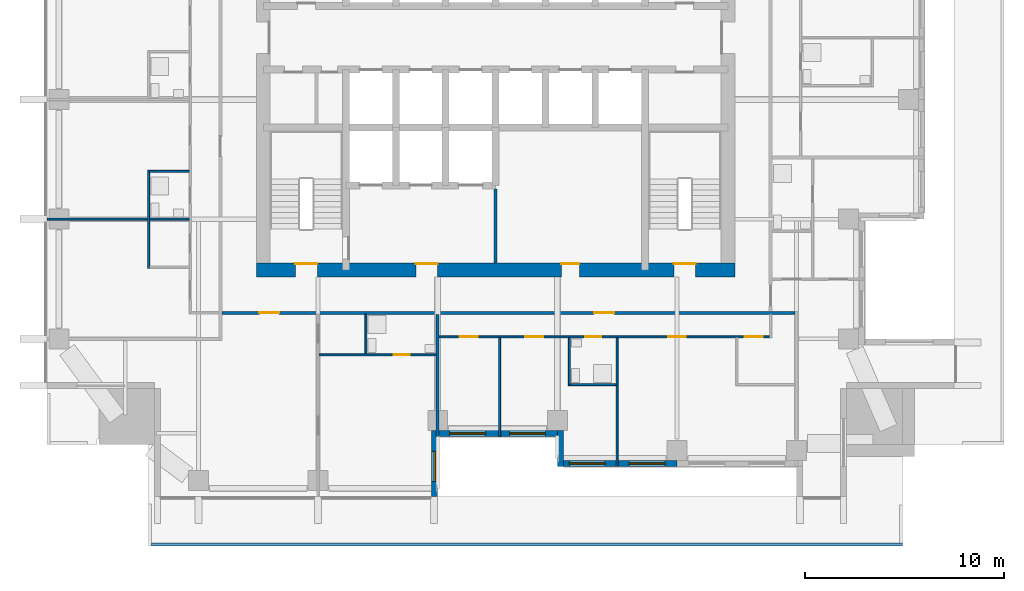
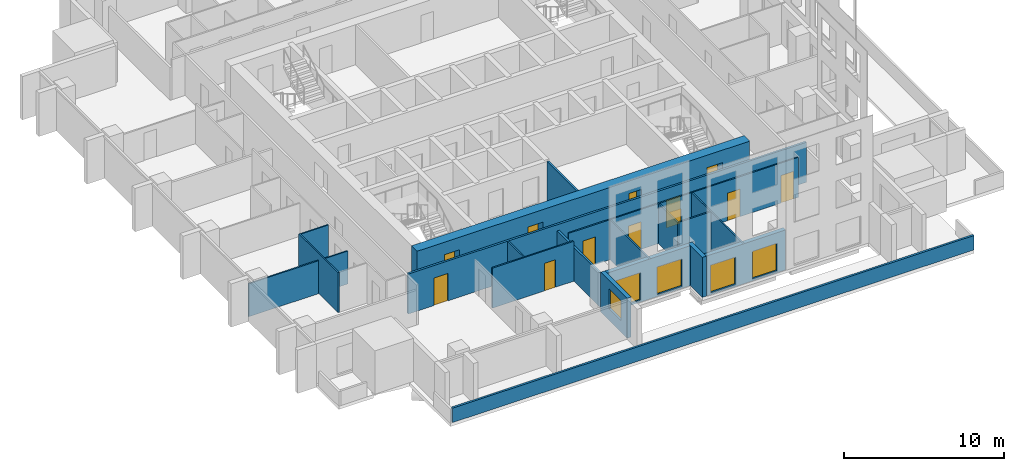
# One storey, part 4 of 14: 19 walls, 12 doors, 5 windows, 17 openings.
"""IFC4 building model written with IfcOpenShell, lengths in metres."""

from ifc_helpers import new_model, si_unit, direction, frame, frame_2d, origin, place, context, subcontext, project, spatial, rectangle, extrude, material, layer, layer_set, type_object, element, fill, save


model = new_model("IFC4")

# Units and contexts
model_context = context("Model", 3, precision=1e-05, world=origin(), true_north=direction((0.0, 1.0)))
body_context = subcontext(model_context, "Body", "Model", "MODEL_VIEW")
ifc_project = project(units=[si_unit("LENGTHUNIT", "METRE"), si_unit("AREAUNIT", "SQUARE_METRE"), si_unit("VOLUMEUNIT", "CUBIC_METRE"), si_unit("PLANEANGLEUNIT", "RADIAN"), si_unit("MASSUNIT", "GRAM", prefix="KILO")], contexts=[model_context])

# Site, building, storey
site_placement = place(None, origin())
site = spatial("IfcSite", under=ifc_project, at=site_placement, CompositionType="ELEMENT")
building_placement = place(site_placement, origin())
building = spatial("IfcBuilding", under=site, at=building_placement, Name="Amberfall Residences", CompositionType="ELEMENT")
storey_placement = place(building_placement, frame((0.0, 0.0, 133.89990234375)))
storey = spatial("IfcBuildingStorey", under=building, at=storey_placement, Name="L35", CompositionType="ELEMENT", Elevation=133.89990234375)

# Wall, opening, window
ifc_material_1 = material(Name="Pale stone cladding on insulated backing", Category="masonry")
ifc_layer_1 = layer(ifc_material_1, 0.300048828125)
ifc_layer_set_1 = layer_set([ifc_layer_1], Name="Bronze clad wall 300")
wall_type_1 = type_object("IfcWallType", Name="Bronze clad wall 300", PredefinedType="SOLIDWALL", material=ifc_layer_set_1)
wall_1_placement = place(storey_placement, frame((71.449951171875, 22.5, 0.0), z_axis=(0.0, 0.0, 1.0), x_axis=(0.0, 1.0, 0.0)))
wall_1 = element("IfcWall", 1, at=wall_1_placement, inside=storey, type_object=wall_type_1, Name="External wall L35 S", PredefinedType="SOLIDWALL", context=body_context, shape_type="SweptSolid", body=[
    extrude(rectangle(XDim=3.300048828125, YDim=0.300048828125, at=frame_2d((1.64990234375, 0.0))), origin(), (0.0, 0.0, 1.0), 3.050048828125),
])
opening_1_placement = place(wall_1_placement, frame((0.75, 0.0, 0.89990234375)))
opening_1 = element("IfcOpeningElement", 2, at=opening_1_placement, cuts=wall_1, Name="Opening WN1", PredefinedType="OPENING", context=body_context, shape_type="SweptSolid", body=[
    extrude(rectangle(XDim=1.5, YDim=1.5, at=frame_2d((0.75, 0.75))), frame((0.0, 0.159912109375, 0.0), z_axis=(0.0, -1.0, 0.0), x_axis=(1.0, 0.0, 0.0)), (0.0, 0.0, 1.0), 0.320068359375),
])
ifc_material_2 = material(Name="Bronze aluminium framed glazing", Category="aluminium")
window_type_1 = type_object("IfcWindowType", Name="Window 1500 x 1500 bronze", PartitioningType="DOUBLE_PANEL_VERTICAL", PredefinedType="WINDOW", material=ifc_material_2)
window_1_placement = place(opening_1_placement, origin())
window_1 = element("IfcWindow", 3, at=window_1_placement, inside=storey, type_object=window_type_1, Name="Window L35 S", OverallHeight=1.5, OverallWidth=1.5, PartitioningType="DOUBLE_PANEL_VERTICAL", PredefinedType="WINDOW", context=body_context, shape_type="SweptSolid", body=[
    extrude(rectangle(XDim=1.5, YDim=1.5, at=frame_2d((0.75, 0.75))), frame((0.0, 0.030029296875, 0.0), z_axis=(0.0, -1.0, 0.0), x_axis=(1.0, 0.0, 0.0)), (0.0, 0.0, 1.0), 0.06005859375),
])
fill(opening_1, window_1)

# Wall
wall_2_placement = place(storey_placement, frame((77.75, 25.800048828125, 0.0), z_axis=(0.0, 0.0, 1.0), x_axis=(0.0, -1.0, 0.0)))
element("IfcWall", 4, at=wall_2_placement, inside=storey, type_object=wall_type_1, Name="External wall L35 S", PredefinedType="SOLIDWALL", context=body_context, shape_type="SweptSolid", body=[
    extrude(rectangle(XDim=1.800048828125, YDim=0.300048828125, at=frame_2d((0.89990234375, 0.0))), origin(), (0.0, 0.0, 1.0), 3.050048828125),
])

# Wall, openings, windows
wall_3_placement = place(storey_placement, frame((71.60009765625, 25.64990234375, 0.0), z_axis=(0.0, 0.0, 1.0), x_axis=(1.0, 0.0, 0.0)))
wall_3 = element("IfcWall", 5, at=wall_3_placement, inside=storey, type_object=wall_type_1, Name="Stone wall L35 S", PredefinedType="SOLIDWALL", context=body_context, shape_type="SweptSolid", body=[
    extrude(rectangle(XDim=6.0, YDim=0.300048828125, at=frame_2d((3.0, 0.0))), origin(), (0.0, 0.0, 1.0), 3.050048828125),
])
opening_2_placement = place(wall_3_placement, frame((0.60009765625, 0.0, 0.14990234375)))
opening_2 = element("IfcOpeningElement", 6, at=opening_2_placement, cuts=wall_3, Name="Opening WN6", PredefinedType="OPENING", context=body_context, shape_type="SweptSolid", body=[
    extrude(rectangle(XDim=1.800048828125, YDim=2.10009765625, at=frame_2d((0.89990234375, 1.050048828125))), frame((0.0, 0.159912109375, 0.0), z_axis=(0.0, -1.0, 0.0), x_axis=(1.0, 0.0, 0.0)), (0.0, 0.0, 1.0), 0.320068359375),
])
opening_3_placement = place(wall_3_placement, frame((3.60009765625, 0.0, 0.14990234375)))
opening_3 = element("IfcOpeningElement", 7, at=opening_3_placement, cuts=wall_3, Name="Opening WN6", PredefinedType="OPENING", context=body_context, shape_type="SweptSolid", body=[
    extrude(rectangle(XDim=1.800048828125, YDim=2.10009765625, at=frame_2d((0.89990234375, 1.050048828125))), frame((0.0, 0.159912109375, 0.0), z_axis=(0.0, -1.0, 0.0), x_axis=(1.0, 0.0, 0.0)), (0.0, 0.0, 1.0), 0.320068359375),
])
window_type_2 = type_object("IfcWindowType", Name="Glazed opening 1800 x 2100 bronze", PartitioningType="DOUBLE_PANEL_VERTICAL", PredefinedType="WINDOW", material=ifc_material_2)
window_2_placement = place(opening_2_placement, origin())
window_2 = element("IfcWindow", 8, at=window_2_placement, inside=storey, type_object=window_type_2, Name="Window L35 S", OverallHeight=2.10009765625, OverallWidth=1.800048828125, PartitioningType="DOUBLE_PANEL_VERTICAL", PredefinedType="WINDOW", context=body_context, shape_type="SweptSolid", body=[
    extrude(rectangle(XDim=1.800048828125, YDim=2.10009765625, at=frame_2d((0.89990234375, 1.050048828125))), frame((0.0, 0.030029296875, 0.0), z_axis=(0.0, -1.0, 0.0), x_axis=(1.0, 0.0, 0.0)), (0.0, 0.0, 1.0), 0.06005859375),
])
fill(opening_2, window_2)
window_3_placement = place(opening_3_placement, origin())
window_3 = element("IfcWindow", 9, at=window_3_placement, inside=storey, type_object=window_type_2, Name="Window L35 S", OverallHeight=2.10009765625, OverallWidth=1.800048828125, PartitioningType="DOUBLE_PANEL_VERTICAL", PredefinedType="WINDOW", context=body_context, shape_type="SweptSolid", body=[
    extrude(rectangle(XDim=1.800048828125, YDim=2.10009765625, at=frame_2d((0.89990234375, 1.050048828125))), frame((0.0, 0.030029296875, 0.0), z_axis=(0.0, -1.0, 0.0), x_axis=(1.0, 0.0, 0.0)), (0.0, 0.0, 1.0), 0.06005859375),
])
fill(opening_3, window_3)

wall_4_placement = place(storey_placement, frame((77.89990234375, 24.14990234375, 0.0), z_axis=(0.0, 0.0, 1.0), x_axis=(1.0, 0.0, 0.0)))
wall_4 = element("IfcWall", 10, at=wall_4_placement, inside=storey, type_object=wall_type_1, Name="Stone wall L35 S", PredefinedType="SOLIDWALL", context=body_context, shape_type="SweptSolid", body=[
    extrude(rectangle(XDim=5.7001953125, YDim=0.300048828125, at=frame_2d((2.85009765625, 0.0))), origin(), (0.0, 0.0, 1.0), 3.050048828125),
])
opening_4_placement = place(wall_4_placement, frame((0.300048828125, 0.0, 0.14990234375)))
opening_4 = element("IfcOpeningElement", 11, at=opening_4_placement, cuts=wall_4, Name="Opening WN6", PredefinedType="OPENING", context=body_context, shape_type="SweptSolid", body=[
    extrude(rectangle(XDim=1.800048828125, YDim=2.10009765625, at=frame_2d((0.89990234375, 1.050048828125))), frame((0.0, 0.159912109375, 0.0), z_axis=(0.0, -1.0, 0.0), x_axis=(1.0, 0.0, 0.0)), (0.0, 0.0, 1.0), 0.320068359375),
])
opening_5_placement = place(wall_4_placement, frame((3.300048828125, 0.0, 0.14990234375)))
opening_5 = element("IfcOpeningElement", 12, at=opening_5_placement, cuts=wall_4, Name="Opening WN6", PredefinedType="OPENING", context=body_context, shape_type="SweptSolid", body=[
    extrude(rectangle(XDim=1.800048828125, YDim=2.10009765625, at=frame_2d((0.89990234375, 1.050048828125))), frame((0.0, 0.159912109375, 0.0), z_axis=(0.0, -1.0, 0.0), x_axis=(1.0, 0.0, 0.0)), (0.0, 0.0, 1.0), 0.320068359375),
])
window_4_placement = place(opening_4_placement, origin())
window_4 = element("IfcWindow", 13, at=window_4_placement, inside=storey, type_object=window_type_2, Name="Window L35 S", OverallHeight=2.10009765625, OverallWidth=1.800048828125, PartitioningType="DOUBLE_PANEL_VERTICAL", PredefinedType="WINDOW", context=body_context, shape_type="SweptSolid", body=[
    extrude(rectangle(XDim=1.800048828125, YDim=2.10009765625, at=frame_2d((0.89990234375, 1.050048828125))), frame((0.0, 0.030029296875, 0.0), z_axis=(0.0, -1.0, 0.0), x_axis=(1.0, 0.0, 0.0)), (0.0, 0.0, 1.0), 0.06005859375),
])
fill(opening_4, window_4)
window_5_placement = place(opening_5_placement, origin())
window_5 = element("IfcWindow", 14, at=window_5_placement, inside=storey, type_object=window_type_2, Name="Window L35 S", OverallHeight=2.10009765625, OverallWidth=1.800048828125, PartitioningType="DOUBLE_PANEL_VERTICAL", PredefinedType="WINDOW", context=body_context, shape_type="SweptSolid", body=[
    extrude(rectangle(XDim=1.800048828125, YDim=2.10009765625, at=frame_2d((0.89990234375, 1.050048828125))), frame((0.0, 0.030029296875, 0.0), z_axis=(0.0, -1.0, 0.0), x_axis=(1.0, 0.0, 0.0)), (0.0, 0.0, 1.0), 0.06005859375),
])
fill(opening_5, window_5)

# Wall, openings, doors
ifc_material_3 = material(Name="Concrete C60", Category="concrete")
ifc_layer_2 = layer(ifc_material_3, 0.699951171875)
ifc_layer_set_2 = layer_set([ifc_layer_2], Name="Core wall 700 C60")
wall_type_2 = type_object("IfcWallType", Name="Core wall 700 C60", PredefinedType="SHEAR", material=ifc_layer_set_2)
wall_5_placement = place(storey_placement, frame((62.5, 33.85009765625, 0.0), z_axis=(0.0, 0.0, 1.0), x_axis=(1.0, 0.0, 0.0)))
wall_5 = element("IfcWall", 15, at=wall_5_placement, inside=storey, type_object=wall_type_2, Name="Core wall RW5 L35 OS", PredefinedType="SHEAR", context=body_context, shape_type="SweptSolid", body=[
    extrude(rectangle(XDim=24.0, YDim=0.699951171875, at=frame_2d((12.0, 0.0))), origin(), (0.0, 0.0, 1.0), 3.050048828125),
])
opening_6_placement = place(wall_5_placement, frame((1.96240234375, 0.0, 0.0)))
opening_6 = element("IfcOpeningElement", 16, at=opening_6_placement, cuts=wall_5, Name="Opening SD1", PredefinedType="OPENING", context=body_context, shape_type="SweptSolid", body=[
    extrude(rectangle(XDim=1.10009765625, YDim=2.10009765625, at=frame_2d((0.550048828125, 1.050048828125))), frame((0.0, 0.35986328125, 0.0), z_axis=(0.0, -1.0, 0.0), x_axis=(1.0, 0.0, 0.0)), (0.0, 0.0, 1.0), 0.719970703125),
])
opening_7_placement = place(wall_5_placement, frame((20.9375, 0.0, 0.0)))
opening_7 = element("IfcOpeningElement", 17, at=opening_7_placement, cuts=wall_5, Name="Opening SD1", PredefinedType="OPENING", context=body_context, shape_type="SweptSolid", body=[
    extrude(rectangle(XDim=1.10009765625, YDim=2.10009765625, at=frame_2d((0.550048828125, 1.050048828125))), frame((0.0, 0.35986328125, 0.0), z_axis=(0.0, -1.0, 0.0), x_axis=(1.0, 0.0, 0.0)), (0.0, 0.0, 1.0), 0.719970703125),
])
opening_8_placement = place(wall_5_placement, frame((8.0, 0.0, 0.0)))
opening_8 = element("IfcOpeningElement", 18, at=opening_8_placement, cuts=wall_5, Name="Opening FL1", PredefinedType="OPENING", context=body_context, shape_type="SweptSolid", body=[
    extrude(rectangle(XDim=1.10009765625, YDim=2.10009765625, at=frame_2d((0.550048828125, 1.050048828125))), frame((0.0, 0.35986328125, 0.0), z_axis=(0.0, -1.0, 0.0), x_axis=(1.0, 0.0, 0.0)), (0.0, 0.0, 1.0), 0.719970703125),
])
opening_9_placement = place(wall_5_placement, frame((15.300048828125, 0.0, 0.0)))
opening_9 = element("IfcOpeningElement", 19, at=opening_9_placement, cuts=wall_5, Name="Opening RD1", PredefinedType="OPENING", context=body_context, shape_type="SweptSolid", body=[
    extrude(rectangle(XDim=0.89990234375, YDim=2.10009765625, at=frame_2d((0.449951171875, 1.050048828125))), frame((0.0, 0.35986328125, 0.0), z_axis=(0.0, -1.0, 0.0), x_axis=(1.0, 0.0, 0.0)), (0.0, 0.0, 1.0), 0.719970703125),
])
ifc_material_4 = material(Name="Steel fire door set", Category="steel")
door_type_1 = type_object("IfcDoorType", Name="Firefighting lobby door 1100 x 2100", OperationType="SINGLE_SWING_LEFT", PredefinedType="DOOR", material=ifc_material_4)
door_1_placement = place(opening_8_placement, origin())
door_1 = element("IfcDoor", 20, at=door_1_placement, inside=storey, type_object=door_type_1, Name="FL1 L35", OperationType="SINGLE_SWING_LEFT", OverallHeight=2.10009765625, OverallWidth=1.10009765625, PredefinedType="DOOR", context=body_context, shape_type="SweptSolid", body=[
    extrude(rectangle(XDim=1.10009765625, YDim=2.10009765625, at=frame_2d((0.550048828125, 1.050048828125))), frame((0.0, 0.33740234375, 0.0), z_axis=(0.0, -1.0, 0.0), x_axis=(1.0, 0.0, 0.0)), (0.0, 0.0, 1.0), 0.050048828125),
])
fill(opening_8, door_1)
door_type_2 = type_object("IfcDoorType", Name="Service room door 900 x 2100", OperationType="SINGLE_SWING_LEFT", PredefinedType="DOOR", material=ifc_material_4)
door_2_placement = place(opening_9_placement, origin())
door_2 = element("IfcDoor", 21, at=door_2_placement, inside=storey, type_object=door_type_2, Name="RD1 L35", OperationType="SINGLE_SWING_LEFT", OverallHeight=2.10009765625, OverallWidth=0.89990234375, PredefinedType="DOOR", context=body_context, shape_type="SweptSolid", body=[
    extrude(rectangle(XDim=0.89990234375, YDim=2.10009765625, at=frame_2d((0.449951171875, 1.050048828125))), frame((0.0, 0.33740234375, 0.0), z_axis=(0.0, -1.0, 0.0), x_axis=(1.0, 0.0, 0.0)), (0.0, 0.0, 1.0), 0.050048828125),
])
fill(opening_9, door_2)
door_type_3 = type_object("IfcDoorType", Name="Stair door 1100 x 2100", OperationType="SINGLE_SWING_LEFT", PredefinedType="DOOR", material=ifc_material_4)
door_3_placement = place(opening_6_placement, origin())
door_3 = element("IfcDoor", 22, at=door_3_placement, inside=storey, type_object=door_type_3, Name="SD1 L35", OperationType="SINGLE_SWING_LEFT", OverallHeight=2.10009765625, OverallWidth=1.10009765625, PredefinedType="DOOR", context=body_context, shape_type="SweptSolid", body=[
    extrude(rectangle(XDim=1.10009765625, YDim=2.10009765625, at=frame_2d((0.550048828125, 1.050048828125))), frame((0.0, 0.33740234375, 0.0), z_axis=(0.0, -1.0, 0.0), x_axis=(1.0, 0.0, 0.0)), (0.0, 0.0, 1.0), 0.050048828125),
])
fill(opening_6, door_3)
door_4_placement = place(opening_7_placement, origin())
door_4 = element("IfcDoor", 23, at=door_4_placement, inside=storey, type_object=door_type_3, Name="SD1 L35", OperationType="SINGLE_SWING_RIGHT", OverallHeight=2.10009765625, OverallWidth=1.10009765625, PredefinedType="DOOR", context=body_context, shape_type="SweptSolid", body=[
    extrude(rectangle(XDim=1.10009765625, YDim=2.10009765625, at=frame_2d((0.550048828125, 1.050048828125))), frame((0.0, 0.33740234375, 0.0), z_axis=(0.0, -1.0, 0.0), x_axis=(1.0, 0.0, 0.0)), (0.0, 0.0, 1.0), 0.050048828125),
])
fill(opening_7, door_4)

# Walls
ifc_material_5 = material(Name="Gypsum board on metal stud")
ifc_layer_3 = layer(ifc_material_5, 0.10009765625)
ifc_layer_set_3 = layer_set([ifc_layer_3], Name="Flat partition 100")
wall_type_3 = type_object("IfcWallType", Name="Flat partition 100", PredefinedType="PARTITIONING", material=ifc_layer_set_3)
wall_6_placement = place(storey_placement, frame((57.10009765625, 33.949951171875, 0.0), z_axis=(0.0, 0.0, 1.0), x_axis=(0.0, 1.0, 0.0)))
element("IfcWall", 24, at=wall_6_placement, inside=storey, type_object=wall_type_3, Name="Partition 001", PredefinedType="PARTITIONING", context=body_context, shape_type="SweptSolid", body=[
    extrude(rectangle(XDim=4.900146484375, YDim=0.10009765625, at=frame_2d((2.4501953125, 0.0))), origin(), (0.0, 0.0, 1.0), 3.050048828125),
])
wall_7_placement = place(storey_placement, frame((68.0, 29.64990234375, 0.0), z_axis=(0.0, 0.0, 1.0), x_axis=(0.0, 1.0, 0.0)))
element("IfcWall", 25, at=wall_7_placement, inside=storey, type_object=wall_type_3, Name="Partition 010", PredefinedType="PARTITIONING", context=body_context, shape_type="SweptSolid", body=[
    extrude(rectangle(XDim=1.97509765625, YDim=0.10009765625, at=frame_2d((0.987548828125, 0.0))), origin(), (0.0, 0.0, 1.0), 3.050048828125),
])
wall_8_placement = place(storey_placement, frame((74.699951171875, 25.5, 0.0), z_axis=(0.0, 0.0, 1.0), x_axis=(0.0, 1.0, 0.0)))
element("IfcWall", 26, at=wall_8_placement, inside=storey, type_object=wall_type_3, Name="Partition 014", PredefinedType="PARTITIONING", context=body_context, shape_type="SweptSolid", body=[
    extrude(rectangle(XDim=4.949951171875, YDim=0.10009765625, at=frame_2d((2.47509765625, 0.0))), origin(), (0.0, 0.0, 1.0), 3.050048828125),
])
wall_9_placement = place(storey_placement, frame((78.199951171875, 28.050048828125, 0.0), z_axis=(0.0, 0.0, 1.0), x_axis=(0.0, 1.0, 0.0)))
element("IfcWall", 27, at=wall_9_placement, inside=storey, type_object=wall_type_3, Name="Partition 015", PredefinedType="PARTITIONING", context=body_context, shape_type="SweptSolid", body=[
    extrude(rectangle(XDim=2.39990234375, YDim=0.10009765625, at=frame_2d((1.199951171875, 0.0))), origin(), (0.0, 0.0, 1.0), 3.050048828125),
])
wall_10_placement = place(storey_placement, frame((80.60009765625, 24.0, 0.0), z_axis=(0.0, 0.0, 1.0), x_axis=(0.0, 1.0, 0.0)))
element("IfcWall", 28, at=wall_10_placement, inside=storey, type_object=wall_type_3, Name="Partition 016", PredefinedType="PARTITIONING", context=body_context, shape_type="SweptSolid", body=[
    extrude(rectangle(XDim=6.449951171875, YDim=0.10009765625, at=frame_2d((3.22509765625, 0.0))), origin(), (0.0, 0.0, 1.0), 3.050048828125),
])
wall_11_placement = place(storey_placement, frame((57.14990234375, 38.800048828125, 0.0), z_axis=(0.0, 0.0, 1.0), x_axis=(1.0, 0.0, 0.0)))
element("IfcWall", 29, at=wall_11_placement, inside=storey, type_object=wall_type_3, Name="Partition 040", PredefinedType="PARTITIONING", context=body_context, shape_type="SweptSolid", body=[
    extrude(rectangle(XDim=2.0, YDim=0.10009765625, at=frame_2d((1.0, 0.0))), origin(), (0.0, 0.0, 1.0), 3.050048828125),
])
wall_12_placement = place(storey_placement, frame((52.0, 36.39990234375, 0.0), z_axis=(0.0, 0.0, 1.0), x_axis=(1.0, 0.0, 0.0)))
element("IfcWall", 30, at=wall_12_placement, inside=storey, type_object=wall_type_3, Name="Partition 041", PredefinedType="PARTITIONING", context=body_context, shape_type="SweptSolid", body=[
    extrude(rectangle(XDim=7.14990234375, YDim=0.10009765625, at=frame_2d((3.574951171875, 0.0))), origin(), (0.0, 0.0, 1.0), 2.51611328125),
])

# Wall, openings, doors
wall_13_placement = place(storey_placement, frame((88.25, 30.5, 0.0), z_axis=(0.0, 0.0, 1.0), x_axis=(-1.0, 0.0, 0.0)))
wall_13 = element("IfcWall", 31, at=wall_13_placement, inside=storey, type_object=wall_type_3, Name="Partition 046", PredefinedType="PARTITIONING", context=body_context, shape_type="SweptSolid", body=[
    extrude(rectangle(XDim=16.574951171875, YDim=0.10009765625, at=frame_2d((8.28759765625, 0.0))), origin(), (0.0, 0.0, 1.0), 3.050048828125),
])
opening_10_placement = place(wall_13_placement, frame((4.199951171875, 0.0, 0.0)))
opening_10 = element("IfcOpeningElement", 32, at=opening_10_placement, cuts=wall_13, Name="Opening D41", PredefinedType="OPENING", context=body_context, shape_type="SweptSolid", body=[
    extrude(rectangle(XDim=0.89990234375, YDim=2.10009765625, at=frame_2d((0.449951171875, 1.050048828125))), frame((0.0, 0.06005859375, 0.0), z_axis=(0.0, -1.0, 0.0), x_axis=(1.0, 0.0, 0.0)), (0.0, 0.0, 1.0), 0.1201171875),
])
opening_11_placement = place(wall_13_placement, frame((0.35009765625, 0.0, 0.0)))
opening_11 = element("IfcOpeningElement", 33, at=opening_11_placement, cuts=wall_13, Name="Opening D41", PredefinedType="OPENING", context=body_context, shape_type="SweptSolid", body=[
    extrude(rectangle(XDim=0.89990234375, YDim=2.10009765625, at=frame_2d((0.449951171875, 1.050048828125))), frame((0.0, 0.06005859375, 0.0), z_axis=(0.0, -1.0, 0.0), x_axis=(1.0, 0.0, 0.0)), (0.0, 0.0, 1.0), 0.1201171875),
])
opening_12_placement = place(wall_13_placement, frame((14.64990234375, 0.0, 0.0)))
opening_12 = element("IfcOpeningElement", 34, at=opening_12_placement, cuts=wall_13, Name="Opening D41", PredefinedType="OPENING", context=body_context, shape_type="SweptSolid", body=[
    extrude(rectangle(XDim=0.89990234375, YDim=2.10009765625, at=frame_2d((0.449951171875, 1.050048828125))), frame((0.0, 0.06005859375, 0.0), z_axis=(0.0, -1.0, 0.0), x_axis=(1.0, 0.0, 0.0)), (0.0, 0.0, 1.0), 0.1201171875),
])
opening_13_placement = place(wall_13_placement, frame((11.35009765625, 0.0, 0.0)))
opening_13 = element("IfcOpeningElement", 35, at=opening_13_placement, cuts=wall_13, Name="Opening D41", PredefinedType="OPENING", context=body_context, shape_type="SweptSolid", body=[
    extrude(rectangle(XDim=0.89990234375, YDim=2.10009765625, at=frame_2d((0.449951171875, 1.050048828125))), frame((0.0, 0.06005859375, 0.0), z_axis=(0.0, -1.0, 0.0), x_axis=(1.0, 0.0, 0.0)), (0.0, 0.0, 1.0), 0.1201171875),
])
opening_14_placement = place(wall_13_placement, frame((8.449951171875, 0.0, 0.0)))
opening_14 = element("IfcOpeningElement", 36, at=opening_14_placement, cuts=wall_13, Name="Opening D42", PredefinedType="OPENING", context=body_context, shape_type="SweptSolid", body=[
    extrude(rectangle(XDim=0.800048828125, YDim=2.10009765625, at=frame_2d((0.39990234375, 1.050048828125))), frame((0.0, 0.06005859375, 0.0), z_axis=(0.0, -1.0, 0.0), x_axis=(1.0, 0.0, 0.0)), (0.0, 0.0, 1.0), 0.1201171875),
])
ifc_material_6 = material(Name="Timber", Category="wood")
door_type_4 = type_object("IfcDoorType", Name="Bathroom door 800 x 2100", OperationType="SINGLE_SWING_LEFT", PredefinedType="DOOR", material=ifc_material_6)
door_5_placement = place(opening_14_placement, origin())
door_5 = element("IfcDoor", 37, at=door_5_placement, inside=storey, type_object=door_type_4, Name="Door 3502 bath1", OperationType="SINGLE_SWING_LEFT", OverallHeight=2.10009765625, OverallWidth=0.800048828125, PredefinedType="DOOR", context=body_context, shape_type="SweptSolid", body=[
    extrude(rectangle(XDim=0.800048828125, YDim=2.10009765625, at=frame_2d((0.39990234375, 1.050048828125))), frame((0.0, 0.02490234375, 0.0), z_axis=(0.0, -1.0, 0.0), x_axis=(1.0, 0.0, 0.0)), (0.0, 0.0, 1.0), 0.050048828125),
])
fill(opening_14, door_5)
door_type_5 = type_object("IfcDoorType", Name="Internal door 900 x 2100", OperationType="SINGLE_SWING_LEFT", PredefinedType="DOOR", material=ifc_material_6)
door_6_placement = place(opening_10_placement, origin())
door_6 = element("IfcDoor", 38, at=door_6_placement, inside=storey, type_object=door_type_5, Name="Door 3502 living", OperationType="SINGLE_SWING_LEFT", OverallHeight=2.10009765625, OverallWidth=0.89990234375, PredefinedType="DOOR", context=body_context, shape_type="SweptSolid", body=[
    extrude(rectangle(XDim=0.89990234375, YDim=2.10009765625, at=frame_2d((0.449951171875, 1.050048828125))), frame((0.0, 0.02490234375, 0.0), z_axis=(0.0, -1.0, 0.0), x_axis=(1.0, 0.0, 0.0)), (0.0, 0.0, 1.0), 0.050048828125),
])
fill(opening_10, door_6)
door_7_placement = place(opening_11_placement, origin())
door_7 = element("IfcDoor", 39, at=door_7_placement, inside=storey, type_object=door_type_5, Name="Door 3502 kitchen", OperationType="SINGLE_SWING_LEFT", OverallHeight=2.10009765625, OverallWidth=0.89990234375, PredefinedType="DOOR", context=body_context, shape_type="SweptSolid", body=[
    extrude(rectangle(XDim=0.89990234375, YDim=2.10009765625, at=frame_2d((0.449951171875, 1.050048828125))), frame((0.0, 0.02490234375, 0.0), z_axis=(0.0, -1.0, 0.0), x_axis=(1.0, 0.0, 0.0)), (0.0, 0.0, 1.0), 0.050048828125),
])
fill(opening_11, door_7)
door_8_placement = place(opening_12_placement, origin())
door_8 = element("IfcDoor", 40, at=door_8_placement, inside=storey, type_object=door_type_5, Name="Door 3502 bedroom1", OperationType="SINGLE_SWING_LEFT", OverallHeight=2.10009765625, OverallWidth=0.89990234375, PredefinedType="DOOR", context=body_context, shape_type="SweptSolid", body=[
    extrude(rectangle(XDim=0.89990234375, YDim=2.10009765625, at=frame_2d((0.449951171875, 1.050048828125))), frame((0.0, 0.02490234375, 0.0), z_axis=(0.0, -1.0, 0.0), x_axis=(1.0, 0.0, 0.0)), (0.0, 0.0, 1.0), 0.050048828125),
])
fill(opening_12, door_8)
door_9_placement = place(opening_13_placement, origin())
door_9 = element("IfcDoor", 41, at=door_9_placement, inside=storey, type_object=door_type_5, Name="Door 3502 bedroom2", OperationType="SINGLE_SWING_LEFT", OverallHeight=2.10009765625, OverallWidth=0.89990234375, PredefinedType="DOOR", context=body_context, shape_type="SweptSolid", body=[
    extrude(rectangle(XDim=0.89990234375, YDim=2.10009765625, at=frame_2d((0.449951171875, 1.050048828125))), frame((0.0, 0.02490234375, 0.0), z_axis=(0.0, -1.0, 0.0), x_axis=(1.0, 0.0, 0.0)), (0.0, 0.0, 1.0), 0.050048828125),
])
fill(opening_13, door_9)

# Wall, opening, door
wall_14_placement = place(storey_placement, frame((65.64990234375, 29.60009765625, 0.0), z_axis=(0.0, 0.0, 1.0), x_axis=(1.0, 0.0, 0.0)))
wall_14 = element("IfcWall", 42, at=wall_14_placement, inside=storey, type_object=wall_type_3, Name="Partition 047", PredefinedType="PARTITIONING", context=body_context, shape_type="SweptSolid", body=[
    extrude(rectangle(XDim=5.875, YDim=0.10009765625, at=frame_2d((2.9375, 0.0))), origin(), (0.0, 0.0, 1.0), 3.050048828125),
])
opening_15_placement = place(wall_14_placement, frame((3.75, 0.0, 0.0)))
opening_15 = element("IfcOpeningElement", 43, at=opening_15_placement, cuts=wall_14, Name="Opening D42", PredefinedType="OPENING", context=body_context, shape_type="SweptSolid", body=[
    extrude(rectangle(XDim=0.800048828125, YDim=2.10009765625, at=frame_2d((0.39990234375, 1.050048828125))), frame((0.0, 0.06005859375, 0.0), z_axis=(0.0, -1.0, 0.0), x_axis=(1.0, 0.0, 0.0)), (0.0, 0.0, 1.0), 0.1201171875),
])
door_10_placement = place(opening_15_placement, origin())
door_10 = element("IfcDoor", 44, at=door_10_placement, inside=storey, type_object=door_type_4, Name="Door 3501 bath1", OperationType="SINGLE_SWING_LEFT", OverallHeight=2.10009765625, OverallWidth=0.800048828125, PredefinedType="DOOR", context=body_context, shape_type="SweptSolid", body=[
    extrude(rectangle(XDim=0.800048828125, YDim=2.10009765625, at=frame_2d((0.39990234375, 1.050048828125))), frame((0.0, 0.02490234375, 0.0), z_axis=(0.0, -1.0, 0.0), x_axis=(1.0, 0.0, 0.0)), (0.0, 0.0, 1.0), 0.050048828125),
])
fill(opening_15, door_10)

# Walls
wall_15_placement = place(storey_placement, frame((78.25, 28.10009765625, 0.0), z_axis=(0.0, 0.0, 1.0), x_axis=(1.0, 0.0, 0.0)))
element("IfcWall", 45, at=wall_15_placement, inside=storey, type_object=wall_type_3, Name="Partition 048", PredefinedType="PARTITIONING", context=body_context, shape_type="SweptSolid", body=[
    extrude(rectangle(XDim=2.300048828125, YDim=0.10009765625, at=frame_2d((1.14990234375, 0.0))), origin(), (0.0, 0.0, 1.0), 3.050048828125),
])
ifc_material_7 = material(Name="Blockwork, plastered", Category="masonry")
ifc_layer_4 = layer(ifc_material_7, 0.14990234375)
ifc_layer_set_4 = layer_set([ifc_layer_4], Name="Flat separating wall 150")
wall_type_4 = type_object("IfcWallType", Name="Flat separating wall 150", PredefinedType="PARTITIONING", material=ifc_layer_set_4)
wall_16_placement = place(storey_placement, frame((71.60009765625, 25.5, 0.0), z_axis=(0.0, 0.0, 1.0), x_axis=(0.0, 1.0, 0.0)))
element("IfcWall", 46, at=wall_16_placement, inside=storey, type_object=wall_type_4, Name="Separating wall 052", PredefinedType="PARTITIONING", context=body_context, shape_type="SweptSolid", body=[
    extrude(rectangle(XDim=6.125, YDim=0.14990234375, at=frame_2d((3.0625, 0.0))), origin(), (0.0, 0.0, 1.0), 2.590087890625),
])

# Wall, openings, doors
wall_17_placement = place(storey_placement, frame((89.52490234375, 31.699951171875, 0.0), z_axis=(0.0, 0.0, 1.0), x_axis=(-1.0, 0.0, 0.0)))
wall_17 = element("IfcWall", 47, at=wall_17_placement, inside=storey, type_object=wall_type_4, Name="Separating wall 060", PredefinedType="PARTITIONING", context=body_context, shape_type="SweptSolid", body=[
    extrude(rectangle(XDim=28.75, YDim=0.14990234375, at=frame_2d((14.375, 0.0))), origin(), (0.0, 0.0, 1.0), 3.050048828125),
])
opening_16_placement = place(wall_17_placement, frame((25.875, 0.0, 0.0)))
opening_16 = element("IfcOpeningElement", 48, at=opening_16_placement, cuts=wall_17, Name="Opening D40", PredefinedType="OPENING", context=body_context, shape_type="SweptSolid", body=[
    extrude(rectangle(XDim=1.0, YDim=2.10009765625, at=frame_2d((0.5, 1.050048828125))), frame((0.0, 0.0849609375, 0.0), z_axis=(0.0, -1.0, 0.0), x_axis=(1.0, 0.0, 0.0)), (0.0, 0.0, 1.0), 0.169921875),
])
opening_17_placement = place(wall_17_placement, frame((9.074951171875, 0.0, 0.0)))
opening_17 = element("IfcOpeningElement", 49, at=opening_17_placement, cuts=wall_17, Name="Opening D40", PredefinedType="OPENING", context=body_context, shape_type="SweptSolid", body=[
    extrude(rectangle(XDim=1.0, YDim=2.10009765625, at=frame_2d((0.5, 1.050048828125))), frame((0.0, 0.0849609375, 0.0), z_axis=(0.0, -1.0, 0.0), x_axis=(1.0, 0.0, 0.0)), (0.0, 0.0, 1.0), 0.169921875),
])
ifc_material_8 = material(Name="Timber, fire-rated", Category="wood")
door_type_6 = type_object("IfcDoorType", Name="Flat entrance door FD60 1000 x 2100", OperationType="SINGLE_SWING_LEFT", PredefinedType="DOOR", material=ifc_material_8)
door_11_placement = place(opening_16_placement, origin())
door_11 = element("IfcDoor", 50, at=door_11_placement, inside=storey, type_object=door_type_6, Name="Door 3501 entrance", OperationType="SINGLE_SWING_LEFT", OverallHeight=2.10009765625, OverallWidth=1.0, PredefinedType="DOOR", context=body_context, shape_type="SweptSolid", body=[
    extrude(rectangle(XDim=1.0, YDim=2.10009765625, at=frame_2d((0.5, 1.050048828125))), frame((0.0, 0.02490234375, 0.0), z_axis=(0.0, -1.0, 0.0), x_axis=(1.0, 0.0, 0.0)), (0.0, 0.0, 1.0), 0.050048828125),
])
fill(opening_16, door_11)
door_12_placement = place(opening_17_placement, origin())
door_12 = element("IfcDoor", 51, at=door_12_placement, inside=storey, type_object=door_type_6, Name="Door 3502 entrance", OperationType="SINGLE_SWING_LEFT", OverallHeight=2.10009765625, OverallWidth=1.0, PredefinedType="DOOR", context=body_context, shape_type="SweptSolid", body=[
    extrude(rectangle(XDim=1.0, YDim=2.10009765625, at=frame_2d((0.5, 1.050048828125))), frame((0.0, 0.02490234375, 0.0), z_axis=(0.0, -1.0, 0.0), x_axis=(1.0, 0.0, 0.0)), (0.0, 0.0, 1.0), 0.050048828125),
])
fill(opening_17, door_12)

# Walls
ifc_material_9 = material(Name="Concrete C40", Category="concrete")
ifc_layer_5 = layer(ifc_material_9, 0.14990234375)
ifc_layer_set_5 = layer_set([ifc_layer_5], Name="Ledge parapet 150")
wall_type_5 = type_object("IfcWallType", Name="Ledge parapet 150", PredefinedType="PARAPET", material=ifc_layer_set_5)
wall_18_placement = place(storey_placement, frame((57.25, 20.074951171875, 0.0), z_axis=(0.0, 0.0, 1.0), x_axis=(1.0, 0.0, 0.0)))
element("IfcWall", 52, at=wall_18_placement, inside=storey, type_object=wall_type_5, Name="Roof parapet L35 10", PredefinedType="PARAPET", context=body_context, shape_type="SweptSolid", body=[
    extrude(rectangle(XDim=37.64990234375, YDim=0.14990234375, at=frame_2d((18.824951171875, 0.0))), origin(), (0.0, 0.0, 1.0), 1.10009765625),
])
ifc_material_10 = material(Name="Concrete blockwork", Category="masonry")
ifc_layer_6 = layer(ifc_material_10, 0.14990234375)
ifc_layer_set_6 = layer_set([ifc_layer_6], Name="Riser wall 150")
wall_type_6 = type_object("IfcWallType", Name="Riser wall 150", PredefinedType="PLUMBINGWALL", material=ifc_layer_set_6)
wall_19_placement = place(storey_placement, frame((74.5, 34.199951171875, 0.0), z_axis=(0.0, 0.0, 1.0), x_axis=(0.0, 1.0, 0.0)))
element("IfcWall", 53, at=wall_19_placement, inside=storey, type_object=wall_type_6, Name="L35 core wall PX", PredefinedType="PLUMBINGWALL", context=body_context, shape_type="SweptSolid", body=[
    extrude(rectangle(XDim=3.72509765625, YDim=0.14990234375, at=frame_2d((1.862548828125, 0.0))), origin(), (0.0, 0.0, 1.0), 3.050048828125),
])

save(model, "model.ifc")
